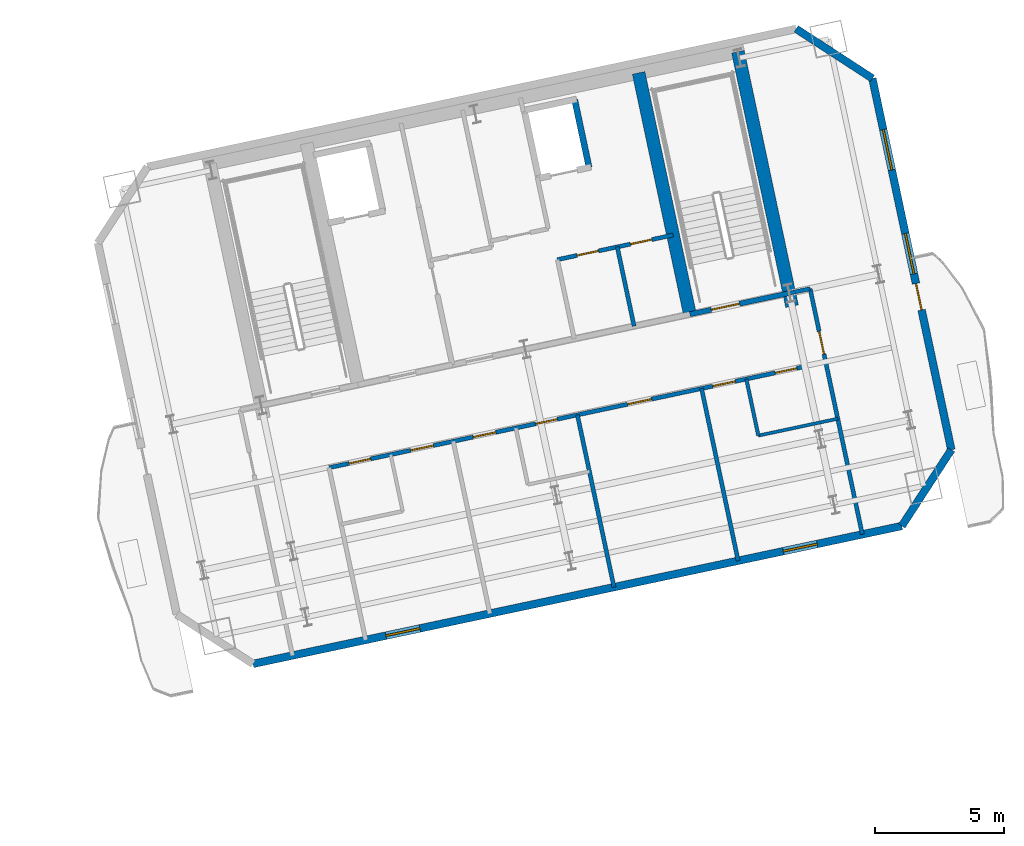
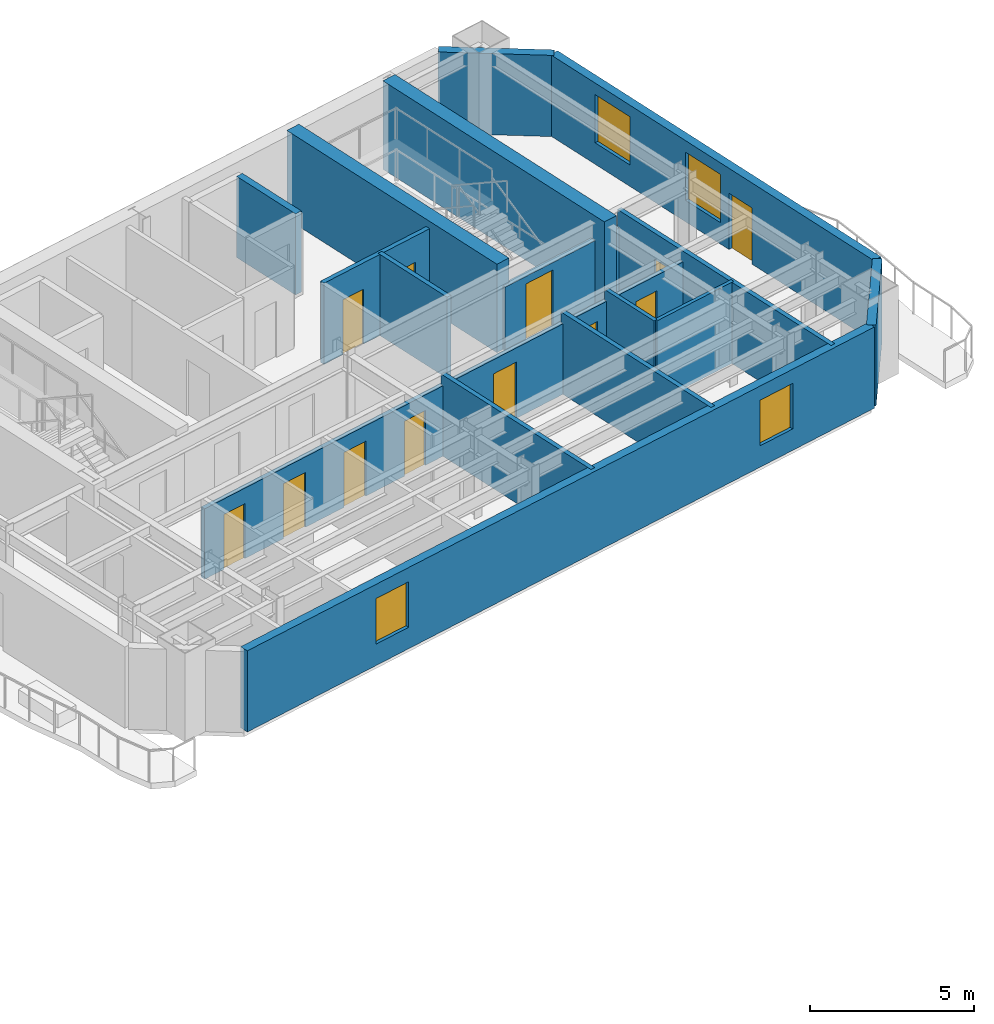
# One storey, part 8 of 13: 17 walls, 12 doors, 4 windows, 16 openings.
"""IFC4 building model written with IfcOpenShell, lengths in metres."""

from ifc_helpers import new_model, si_unit, direction, frame, frame_2d, origin, place, context, subcontext, project, spatial, rectangle, extrude, material, layer, layer_set, type_object, element, fill, save


model = new_model("IFC4")

# Units and contexts
model_context = context("Model", 3, precision=1e-05, world=origin(), true_north=direction((0.0, 1.0)))
body_context = subcontext(model_context, "Body", "Model", "MODEL_VIEW")
ifc_project = project(units=[si_unit("LENGTHUNIT", "METRE"), si_unit("AREAUNIT", "SQUARE_METRE"), si_unit("VOLUMEUNIT", "CUBIC_METRE"), si_unit("PLANEANGLEUNIT", "RADIAN"), si_unit("MASSUNIT", "GRAM", prefix="KILO")], contexts=[model_context])

# Site, building, storey
site_placement = place(None, origin())
site = spatial("IfcSite", under=ifc_project, at=site_placement, CompositionType="ELEMENT")
building_placement = place(site_placement, origin())
building = spatial("IfcBuilding", under=site, at=building_placement, Name="Haevon Station Towers", CompositionType="ELEMENT")
storey_placement = place(building_placement, frame((0.0, 0.0, 182.39990234375)))
storey = spatial("IfcBuildingStorey", under=building, at=storey_placement, Name="L50", CompositionType="ELEMENT", Elevation=182.39990234375)

# Wall, opening, door
ifc_material_1 = material(Name="Gypsum board on steel stud", Category="steel")
ifc_layer_1 = layer(ifc_material_1, 0.199951171875)
ifc_layer_set_1 = layer_set([ifc_layer_1], Name="Gypsum board on steel stud")
wall_type_1 = type_object("IfcWallType", Name="WL-COR200", PredefinedType="PARTITIONING", material=ifc_layer_set_1)
wall_1_placement = place(storey_placement, frame((115.4296875, 40.9873046875, 0.0), z_axis=(0.0, 0.0, 1.0), x_axis=(0.978146596989, 0.207916413008, 0.0)))
wall_1 = element("IfcWall", 1, at=wall_1_placement, inside=storey, type_object=wall_type_1, Name="WL-ST-ST4-L50", PredefinedType="PARTITIONING", context=body_context, shape_type="SweptSolid", body=[
    extrude(rectangle(XDim=3.9501953125, YDim=0.199951171875, at=frame_2d((1.97509765625, 0.0))), origin(), (0.0, 0.0, 1.0), 2.380126953125),
])
opening_1_placement = place(wall_1_placement, frame((0.85009765625, 0.0, 0.0)))
opening_1 = element("IfcOpeningElement", 2, at=opening_1_placement, cuts=wall_1, Name="Opening DR-ST-ST4-L50", PredefinedType="OPENING", context=body_context, shape_type="SweptSolid", body=[
    extrude(rectangle(XDim=1.1201171875, YDim=2.10009765625, at=frame_2d((0.56005859375, 1.050048828125))), frame((0.0, 0.10986328125, 0.0), z_axis=(0.0, -1.0, 0.0), x_axis=(1.0, 0.0, 0.0)), (0.0, 0.0, 1.0), 0.219970703125),
])
ifc_material_2 = material(Name="Engineered oak timber", Category="wood")
door_type_1 = type_object("IfcDoorType", Name="DR-ST-1120", OperationType="NOTDEFINED", PredefinedType="DOOR", material=ifc_material_2)
door_1_placement = place(opening_1_placement, origin())
door_1 = element("IfcDoor", 3, at=door_1_placement, inside=storey, type_object=door_type_1, Name="L50 Escape Stair ST4 Fire Door", OperationType="SINGLE_SWING_LEFT", OverallHeight=2.10009765625, OverallWidth=1.1201171875, PredefinedType="DOOR", context=body_context, shape_type="SweptSolid", body=[
    extrude(rectangle(XDim=1.1201171875, YDim=2.10009765625, at=frame_2d((0.56005859375, 1.050048828125))), frame((0.0, 0.02490234375, 0.0), z_axis=(0.0, -1.0, 0.0), x_axis=(1.0, 0.0, 0.0)), (0.0, 0.0, 1.0), 0.050048828125),
])
fill(opening_1, door_1)

# Walls
ifc_material_3 = material(Name="Concrete C60/75", Category="concrete")
ifc_layer_2 = layer(ifc_material_3, 0.5)
ifc_layer_set_2 = layer_set([ifc_layer_2], Name="Concrete C60/75")
wall_type_2 = type_object("IfcWallType", Name="WL-CR500", PredefinedType="SHEAR", material=ifc_layer_set_2)
wall_2_placement = place(storey_placement, frame((119.401611328125, 41.2998046875, 0.0), z_axis=(0.0, 0.0, 1.0), x_axis=(-0.207904342798, 0.978149162575, 0.0)))
element("IfcWall", 4, at=wall_2_placement, inside=storey, type_object=wall_type_2, Name="WL-T2CR-L50-E", PredefinedType="SHEAR", context=body_context, shape_type="SweptSolid", body=[
    extrude(rectangle(XDim=10.1201171875, YDim=0.5, at=frame_2d((5.06005859375, 0.0))), origin(), (0.0, 0.0, 1.0), 3.300048828125),
])
wall_3_placement = place(storey_placement, frame((115.4296875, 40.9873046875, 0.0), z_axis=(0.0, 0.0, 1.0), x_axis=(-0.207903162969, 0.978149413345, 0.0)))
element("IfcWall", 5, at=wall_3_placement, inside=storey, type_object=wall_type_2, Name="WL-T2CR-L50-M2", PredefinedType="SHEAR", context=body_context, shape_type="SweptSolid", body=[
    extrude(rectangle(XDim=9.599853515625, YDim=0.5, at=frame_2d((4.7998046875, 0.0))), origin(), (0.0, 0.0, 1.0), 3.300048828125),
])

# Wall, openings, windows
ifc_material_4 = material(Name="Precast concrete C45/55", Category="concrete")
ifc_layer_3 = layer(ifc_material_4, 0.300048828125)
ifc_layer_set_3 = layer_set([ifc_layer_3], Name="Precast concrete C45/55")
wall_type_3 = type_object("IfcWallType", Name="WL-EXT-PIER300", PredefinedType="SOLIDWALL", material=ifc_layer_set_3)
wall_4_placement = place(storey_placement, frame((123.67236328125, 32.7509765625, 0.0), z_axis=(0.0, 0.0, 1.0), x_axis=(-0.978148652743, -0.207906741442, 0.0)))
wall_4 = element("IfcWall", 6, at=wall_4_placement, inside=storey, type_object=wall_type_3, Name="WL-T2-L50-S", PredefinedType="SOLIDWALL", context=body_context, shape_type="SweptSolid", body=[
    extrude(rectangle(XDim=25.800048828125, YDim=0.300048828125, at=frame_2d((12.89990234375, 0.0))), origin(), (0.0, 0.0, 1.0), 3.030029296875),
])
opening_2_placement = place(wall_4_placement, frame((19.166015625, 0.0, 0.800048828125)))
opening_2 = element("IfcOpeningElement", 7, at=opening_2_placement, cuts=wall_4, Name="Opening WN-P135", PredefinedType="OPENING", context=body_context, shape_type="SweptSolid", body=[
    extrude(rectangle(XDim=1.35009765625, YDim=1.699951171875, at=frame_2d((0.675048828125, 0.85009765625))), frame((0.0, 0.159912109375, 0.0), z_axis=(0.0, -1.0, 0.0), x_axis=(1.0, 0.0, 0.0)), (0.0, 0.0, 1.0), 0.320068359375),
])
opening_3_placement = place(wall_4_placement, frame((3.36376953125, 0.0, 0.800048828125)))
opening_3 = element("IfcOpeningElement", 8, at=opening_3_placement, cuts=wall_4, Name="Opening WN-P135", PredefinedType="OPENING", context=body_context, shape_type="SweptSolid", body=[
    extrude(rectangle(XDim=1.35009765625, YDim=1.699951171875, at=frame_2d((0.675048828125, 0.85009765625))), frame((0.0, 0.159912109375, 0.0), z_axis=(0.0, -1.0, 0.0), x_axis=(1.0, 0.0, 0.0)), (0.0, 0.0, 1.0), 0.320068359375),
])
ifc_material_5 = material(Name="Low-E triple glazing in thermally broken aluminium", Category="aluminium")
window_type_1 = type_object("IfcWindowType", Name="WN-P135", PartitioningType="SINGLE_PANEL", PredefinedType="WINDOW", material=ifc_material_5)
window_1_placement = place(opening_2_placement, origin())
window_1 = element("IfcWindow", 9, at=window_1_placement, inside=storey, type_object=window_type_1, Name="WN-T2-L50-S01", OverallHeight=1.699951171875, OverallWidth=1.35009765625, PartitioningType="SINGLE_PANEL", PredefinedType="WINDOW", context=body_context, shape_type="SweptSolid", body=[
    extrude(rectangle(XDim=1.35009765625, YDim=1.699951171875, at=frame_2d((0.675048828125, 0.85009765625))), frame((0.0, 0.030029296875, 0.0), z_axis=(0.0, -1.0, 0.0), x_axis=(1.0, 0.0, 0.0)), (0.0, 0.0, 1.0), 0.06005859375),
])
fill(opening_2, window_1)
window_2_placement = place(opening_3_placement, origin())
window_2 = element("IfcWindow", 10, at=window_2_placement, inside=storey, type_object=window_type_1, Name="WN-T2-L50-S02", OverallHeight=1.699951171875, OverallWidth=1.35009765625, PartitioningType="SINGLE_PANEL", PredefinedType="WINDOW", context=body_context, shape_type="SweptSolid", body=[
    extrude(rectangle(XDim=1.35009765625, YDim=1.699951171875, at=frame_2d((0.675048828125, 0.85009765625))), frame((0.0, 0.030029296875, 0.0), z_axis=(0.0, -1.0, 0.0), x_axis=(1.0, 0.0, 0.0)), (0.0, 0.0, 1.0), 0.06005859375),
])
fill(opening_3, window_2)

# Wall
wall_5_placement = place(storey_placement, frame((119.561767578125, 52.089111328125, 0.0), z_axis=(0.0, 0.0, 1.0), x_axis=(0.838661251934, -0.544653380146, 0.0)))
element("IfcWall", 11, at=wall_5_placement, inside=storey, type_object=wall_type_3, Name="WL-T2-L50-NEC", PredefinedType="SOLIDWALL", context=body_context, shape_type="SweptSolid", body=[
    extrude(rectangle(XDim=3.535888671875, YDim=0.300048828125, at=frame_2d((1.76806640625, 0.0))), origin(), (0.0, 0.0, 1.0), 3.030029296875),
])

# Wall, openings, door, windows
wall_6_placement = place(storey_placement, frame((122.527099609375, 50.163330078125, 0.0), z_axis=(0.0, 0.0, 1.0), x_axis=(0.207911144611, -0.978147716834, 0.0)))
wall_6 = element("IfcWall", 12, at=wall_6_placement, inside=storey, type_object=wall_type_3, Name="WL-T2-L50-E", PredefinedType="SOLIDWALL", context=body_context, shape_type="SweptSolid", body=[
    extrude(rectangle(XDim=14.769775390625, YDim=0.300048828125, at=frame_2d((7.384765625, 0.0))), origin(), (0.0, 0.0, 1.0), 3.030029296875),
])
opening_4_placement = place(wall_6_placement, frame((8.159912109375, 0.0, 0.0)))
opening_4 = element("IfcOpeningElement", 13, at=opening_4_placement, cuts=wall_6, Name="Opening DR-T2-SCAL-L50-E", PredefinedType="OPENING", context=body_context, shape_type="SweptSolid", body=[
    extrude(rectangle(XDim=1.050048828125, YDim=2.10009765625, at=frame_2d((0.52490234375, 1.050048828125))), frame((0.0, 0.159912109375, 0.0), z_axis=(0.0, -1.0, 0.0), x_axis=(1.0, 0.0, 0.0)), (0.0, 0.0, 1.0), 0.320068359375),
])
opening_5_placement = place(wall_6_placement, frame((2.03955078125, 0.0, 0.800048828125)))
opening_5 = element("IfcOpeningElement", 14, at=opening_5_placement, cuts=wall_6, Name="Opening WN-END160", PredefinedType="OPENING", context=body_context, shape_type="SweptSolid", body=[
    extrude(rectangle(XDim=1.60009765625, YDim=1.800048828125, at=frame_2d((0.800048828125, 0.89990234375))), frame((0.0, 0.159912109375, 0.0), z_axis=(0.0, -1.0, 0.0), x_axis=(1.0, 0.0, 0.0)), (0.0, 0.0, 1.0), 0.320068359375),
])
opening_6_placement = place(wall_6_placement, frame((6.171875, 0.0, 0.800048828125)))
opening_6 = element("IfcOpeningElement", 15, at=opening_6_placement, cuts=wall_6, Name="Opening WN-END160", PredefinedType="OPENING", context=body_context, shape_type="SweptSolid", body=[
    extrude(rectangle(XDim=1.60009765625, YDim=1.800048828125, at=frame_2d((0.800048828125, 0.89990234375))), frame((0.0, 0.159912109375, 0.0), z_axis=(0.0, -1.0, 0.0), x_axis=(1.0, 0.0, 0.0)), (0.0, 0.0, 1.0), 0.320068359375),
])
ifc_material_6 = material(Name="Thermally broken anodised aluminium and laminated safety glass", Category="aluminium")
door_type_2 = type_object("IfcDoorType", Name="DR-BALC-1050", OperationType="NOTDEFINED", PredefinedType="DOOR", material=ifc_material_6)
door_2_placement = place(opening_4_placement, origin())
door_2 = element("IfcDoor", 16, at=door_2_placement, inside=storey, type_object=door_type_2, Name="Tower 2 L50 East Scalloped Balcony Door", OperationType="SINGLE_SWING_RIGHT", OverallHeight=2.10009765625, OverallWidth=1.050048828125, PredefinedType="DOOR", context=body_context, shape_type="SweptSolid", body=[
    extrude(rectangle(XDim=1.050048828125, YDim=2.10009765625, at=frame_2d((0.52490234375, 1.050048828125))), frame((0.0, 0.02490234375, 0.0), z_axis=(0.0, -1.0, 0.0), x_axis=(1.0, 0.0, 0.0)), (0.0, 0.0, 1.0), 0.050048828125),
])
fill(opening_4, door_2)
window_type_2 = type_object("IfcWindowType", Name="WN-END160", PartitioningType="SINGLE_PANEL", PredefinedType="WINDOW", material=ifc_material_5)
window_3_placement = place(opening_5_placement, origin())
window_3 = element("IfcWindow", 17, at=window_3_placement, inside=storey, type_object=window_type_2, Name="WN-T2-L50-E01", OverallHeight=1.800048828125, OverallWidth=1.60009765625, PartitioningType="SINGLE_PANEL", PredefinedType="WINDOW", context=body_context, shape_type="SweptSolid", body=[
    extrude(rectangle(XDim=1.60009765625, YDim=1.800048828125, at=frame_2d((0.800048828125, 0.89990234375))), frame((0.0, 0.030029296875, 0.0), z_axis=(0.0, -1.0, 0.0), x_axis=(1.0, 0.0, 0.0)), (0.0, 0.0, 1.0), 0.06005859375),
])
fill(opening_5, window_3)
window_4_placement = place(opening_6_placement, origin())
window_4 = element("IfcWindow", 18, at=window_4_placement, inside=storey, type_object=window_type_2, Name="WN-T2-L50-E02", OverallHeight=1.800048828125, OverallWidth=1.60009765625, PartitioningType="SINGLE_PANEL", PredefinedType="WINDOW", context=body_context, shape_type="SweptSolid", body=[
    extrude(rectangle(XDim=1.60009765625, YDim=1.800048828125, at=frame_2d((0.800048828125, 0.89990234375))), frame((0.0, 0.030029296875, 0.0), z_axis=(0.0, -1.0, 0.0), x_axis=(1.0, 0.0, 0.0)), (0.0, 0.0, 1.0), 0.06005859375),
])
fill(opening_6, window_4)

# Walls
wall_7_placement = place(storey_placement, frame((125.597900390625, 35.71630859375, 0.0), z_axis=(0.0, 0.0, 1.0), x_axis=(-0.544604812064, -0.838692791597, 0.0)))
element("IfcWall", 19, at=wall_7_placement, inside=storey, type_object=wall_type_3, Name="WL-T2-L50-SEC", PredefinedType="SOLIDWALL", context=body_context, shape_type="SweptSolid", body=[
    extrude(rectangle(XDim=3.53564453125, YDim=0.300048828125, at=frame_2d((1.767822265625, 0.0))), origin(), (0.0, 0.0, 1.0), 3.030029296875),
])
ifc_layer_4 = layer(ifc_material_1, 0.125)
ifc_layer_set_4 = layer_set([ifc_layer_4], Name="Gypsum board on steel stud")
wall_type_4 = type_object("IfcWallType", Name="WL-PRT125", PredefinedType="PARTITIONING", material=ifc_layer_set_4)
wall_8_placement = place(storey_placement, frame((118.091796875, 36.267578125, 0.0), z_axis=(0.0, 0.0, 1.0), x_axis=(0.978145092575, 0.207923490429, 0.0)))
element("IfcWall", 20, at=wall_8_placement, inside=storey, type_object=wall_type_4, Name="WL-T2PT-L50-13", PredefinedType="PARTITIONING", context=body_context, shape_type="SweptSolid", body=[
    extrude(rectangle(XDim=3.157470703125, YDim=0.125, at=frame_2d((1.57861328125, 0.0))), origin(), (0.0, 0.0, 1.0), 3.030029296875),
])
ifc_layer_5 = layer(ifc_material_1, 0.139892578125)
ifc_layer_set_5 = layer_set([ifc_layer_5], Name="Gypsum board on steel stud")
wall_type_5 = type_object("IfcWallType", Name="WL-PRT140", PredefinedType="PARTITIONING", material=ifc_layer_set_5)
wall_9_placement = place(storey_placement, frame((118.091796875, 36.267578125, 0.0), z_axis=(0.0, 0.0, 1.0), x_axis=(-0.207891197838, 0.978151956427, 0.0)))
element("IfcWall", 21, at=wall_9_placement, inside=storey, type_object=wall_type_5, Name="WL-T2PT-L50-14", PredefinedType="PARTITIONING", context=body_context, shape_type="SweptSolid", body=[
    extrude(rectangle(XDim=2.25, YDim=0.139892578125, at=frame_2d((1.125, 0.0))), origin(), (0.0, 0.0, 1.0), 3.030029296875),
])
ifc_layer_6 = layer(ifc_material_1, 0.159912109375)
ifc_layer_set_6 = layer_set([ifc_layer_6], Name="Gypsum board on steel stud")
wall_type_6 = type_object("IfcWallType", Name="WL-PRT160", PredefinedType="PARTITIONING", material=ifc_layer_set_6)
wall_10_placement = place(storey_placement, frame((113.25830078125, 40.525634765625, 0.0), z_axis=(0.0, 0.0, 1.0), x_axis=(-0.207935688634, 0.978142499533, 0.0)))
element("IfcWall", 22, at=wall_10_placement, inside=storey, type_object=wall_type_6, Name="WL-T2CW-L50-08", PredefinedType="PARTITIONING", context=body_context, shape_type="SweptSolid", body=[
    extrude(rectangle(XDim=3.150146484375, YDim=0.159912109375, at=frame_2d((1.5751953125, 0.0))), origin(), (0.0, 0.0, 1.0), 3.030029296875),
])

# Wall, openings, doors
wall_11_placement = place(storey_placement, frame((110.275390625, 43.112060546875, 0.0), z_axis=(0.0, 0.0, 1.0), x_axis=(0.978152106073, 0.207890493732, 0.0)))
wall_11 = element("IfcWall", 23, at=wall_11_placement, inside=storey, type_object=wall_type_6, Name="WL-T2CW-L50-09", PredefinedType="PARTITIONING", context=body_context, shape_type="SweptSolid", body=[
    extrude(rectangle(XDim=4.60009765625, YDim=0.159912109375, at=frame_2d((2.300048828125, 0.0))), origin(), (0.0, 0.0, 1.0), 3.030029296875),
])
opening_7_placement = place(wall_11_placement, frame((0.784912109375, 0.0, 0.0)))
opening_7 = element("IfcOpeningElement", 24, at=opening_7_placement, cuts=wall_11, Name="Opening DR-WL-T2CW-L50-09-1", PredefinedType="OPENING", context=body_context, shape_type="SweptSolid", body=[
    extrude(rectangle(XDim=0.85009765625, YDim=2.050048828125, at=frame_2d((0.425048828125, 1.02490234375))), frame((0.0, 0.08984375, 0.0), z_axis=(0.0, -1.0, 0.0), x_axis=(1.0, 0.0, 0.0)), (0.0, 0.0, 1.0), 0.179931640625),
])
opening_8_placement = place(wall_11_placement, frame((2.905029296875, 0.0, 0.0)))
opening_8 = element("IfcOpeningElement", 25, at=opening_8_placement, cuts=wall_11, Name="Opening DR-WL-T2CW-L50-09-2", PredefinedType="OPENING", context=body_context, shape_type="SweptSolid", body=[
    extrude(rectangle(XDim=0.85009765625, YDim=2.050048828125, at=frame_2d((0.425048828125, 1.02490234375))), frame((0.0, 0.08984375, 0.0), z_axis=(0.0, -1.0, 0.0), x_axis=(1.0, 0.0, 0.0)), (0.0, 0.0, 1.0), 0.179931640625),
])
door_type_3 = type_object("IfcDoorType", Name="DR-FD30-850", OperationType="NOTDEFINED", PredefinedType="DOOR", material=ifc_material_2)
door_3_placement = place(opening_7_placement, origin())
door_3 = element("IfcDoor", 26, at=door_3_placement, inside=storey, type_object=door_type_3, Name="L50 Tower 2 Core Room Door 9-1", OperationType="SINGLE_SWING_LEFT", OverallHeight=2.050048828125, OverallWidth=0.85009765625, PredefinedType="DOOR", context=body_context, shape_type="SweptSolid", body=[
    extrude(rectangle(XDim=0.85009765625, YDim=2.050048828125, at=frame_2d((0.425048828125, 1.02490234375))), frame((0.0, 0.02490234375, 0.0), z_axis=(0.0, -1.0, 0.0), x_axis=(1.0, 0.0, 0.0)), (0.0, 0.0, 1.0), 0.050048828125),
])
fill(opening_7, door_3)
door_4_placement = place(opening_8_placement, origin())
door_4 = element("IfcDoor", 27, at=door_4_placement, inside=storey, type_object=door_type_3, Name="L50 Tower 2 Core Room Door 9-2", OperationType="SINGLE_SWING_RIGHT", OverallHeight=2.050048828125, OverallWidth=0.85009765625, PredefinedType="DOOR", context=body_context, shape_type="SweptSolid", body=[
    extrude(rectangle(XDim=0.85009765625, YDim=2.050048828125, at=frame_2d((0.425048828125, 1.02490234375))), frame((0.0, 0.02490234375, 0.0), z_axis=(0.0, -1.0, 0.0), x_axis=(1.0, 0.0, 0.0)), (0.0, 0.0, 1.0), 0.050048828125),
])
fill(opening_8, door_4)

# Wall
wall_12_placement = place(storey_placement, frame((119.29345703125, 41.80859375, 0.0), z_axis=(0.0, 0.0, 1.0), x_axis=(0.978132675688, 0.207981895251, 0.0)))
element("IfcWall", 28, at=wall_12_placement, inside=storey, type_object=wall_type_6, Name="WL-T2PT-L50-03", PredefinedType="PARTITIONING", context=body_context, shape_type="SweptSolid", body=[
    extrude(rectangle(XDim=0.829833984375, YDim=0.159912109375, at=frame_2d((0.4150390625, 0.0))), origin(), (0.0, 0.0, 1.0), 2.380126953125),
])

# Wall, opening, door
wall_13_placement = place(storey_placement, frame((122.13671875, 32.424560546875, 0.0), z_axis=(0.0, 0.0, 1.0), x_axis=(-0.207928090601, 0.978144114709, 0.0)))
wall_13 = element("IfcWall", 29, at=wall_13_placement, inside=storey, type_object=wall_type_6, Name="WL-T2PT-L50-05", PredefinedType="PARTITIONING", context=body_context, shape_type="SweptSolid", body=[
    extrude(rectangle(XDim=9.770263671875, YDim=0.159912109375, at=frame_2d((4.88525390625, 0.0))), origin(), (0.0, 0.0, 1.0), 3.030029296875),
])
opening_9_placement = place(wall_13_placement, frame((7.169921875, 0.0, 0.0)))
opening_9 = element("IfcOpeningElement", 30, at=opening_9_placement, cuts=wall_13, Name="Opening DR-WL-T2PT-L50-05-01", PredefinedType="OPENING", context=body_context, shape_type="SweptSolid", body=[
    extrude(rectangle(XDim=0.89990234375, YDim=2.050048828125, at=frame_2d((0.449951171875, 1.02490234375))), frame((0.0, 0.08984375, 0.0), z_axis=(0.0, -1.0, 0.0), x_axis=(1.0, 0.0, 0.0)), (0.0, 0.0, 1.0), 0.179931640625),
])
door_type_4 = type_object("IfcDoorType", Name="DR-INT-900", OperationType="NOTDEFINED", PredefinedType="DOOR", material=ifc_material_2)
door_5_placement = place(opening_9_placement, origin())
door_5 = element("IfcDoor", 31, at=door_5_placement, inside=storey, type_object=door_type_4, Name="L50 Tower 2 Room Door 5-1", OperationType="SINGLE_SWING_RIGHT", OverallHeight=2.050048828125, OverallWidth=0.89990234375, PredefinedType="DOOR", context=body_context, shape_type="SweptSolid", body=[
    extrude(rectangle(XDim=0.89990234375, YDim=2.050048828125, at=frame_2d((0.449951171875, 1.02490234375))), frame((0.0, 0.02490234375, 0.0), z_axis=(0.0, -1.0, 0.0), x_axis=(1.0, 0.0, 0.0)), (0.0, 0.0, 1.0), 0.050048828125),
])
fill(opening_9, door_5)

# Walls
wall_14_placement = place(storey_placement, frame((112.477294921875, 30.37158203125, 0.0), z_axis=(0.0, 0.0, 1.0), x_axis=(-0.207897972701, 0.978150516509, 0.0)))
element("IfcWall", 32, at=wall_14_placement, inside=storey, type_object=wall_type_6, Name="WL-T2PT-L50-11", PredefinedType="PARTITIONING", context=body_context, shape_type="SweptSolid", body=[
    extrude(rectangle(XDim=6.849853515625, YDim=0.159912109375, at=frame_2d((3.4248046875, 0.0))), origin(), (0.0, 0.0, 1.0), 3.030029296875),
])
wall_15_placement = place(storey_placement, frame((117.306884765625, 31.39794921875, 0.0), z_axis=(0.0, 0.0, 1.0), x_axis=(-0.207890725014, 0.978152056918, 0.0)))
element("IfcWall", 33, at=wall_15_placement, inside=storey, type_object=wall_type_6, Name="WL-T2PT-L50-12", PredefinedType="PARTITIONING", context=body_context, shape_type="SweptSolid", body=[
    extrude(rectangle(XDim=6.85009765625, YDim=0.159912109375, at=frame_2d((3.425048828125, 0.0))), origin(), (0.0, 0.0, 1.0), 3.030029296875),
])

# Wall, openings, doors
wall_16_placement = place(storey_placement, frame((101.39404296875, 35.0185546875, 0.0), z_axis=(0.0, 0.0, 1.0), x_axis=(0.978145528215, 0.207921441014, 0.0)))
wall_16 = element("IfcWall", 34, at=wall_16_placement, inside=storey, type_object=wall_type_6, Name="WL-T2PT-L50-15", PredefinedType="PARTITIONING", context=body_context, shape_type="SweptSolid", body=[
    extrude(rectangle(XDim=19.75, YDim=0.159912109375, at=frame_2d((9.875, 0.0))), origin(), (0.0, 0.0, 1.0), 2.630126953125),
])
opening_10_placement = place(wall_16_placement, frame((0.800048828125, 0.0, 0.0)))
opening_10 = element("IfcOpeningElement", 35, at=opening_10_placement, cuts=wall_16, Name="Opening DR-WL-T2PT-L50-15-01", PredefinedType="OPENING", context=body_context, shape_type="SweptSolid", body=[
    extrude(rectangle(XDim=0.85009765625, YDim=2.050048828125, at=frame_2d((0.425048828125, 1.02490234375))), frame((0.0, 0.08984375, 0.0), z_axis=(0.0, -1.0, 0.0), x_axis=(1.0, 0.0, 0.0)), (0.0, 0.0, 1.0), 0.179931640625),
])
opening_11_placement = place(wall_16_placement, frame((3.243896484375, 0.0, 0.0)))
opening_11 = element("IfcOpeningElement", 36, at=opening_11_placement, cuts=wall_16, Name="Opening DR-WL-T2PT-L50-15-02", PredefinedType="OPENING", context=body_context, shape_type="SweptSolid", body=[
    extrude(rectangle(XDim=0.89990234375, YDim=2.050048828125, at=frame_2d((0.449951171875, 1.02490234375))), frame((0.0, 0.08984375, 0.0), z_axis=(0.0, -1.0, 0.0), x_axis=(1.0, 0.0, 0.0)), (0.0, 0.0, 1.0), 0.179931640625),
])
opening_12_placement = place(wall_16_placement, frame((8.22509765625, 0.0, 0.0)))
opening_12 = element("IfcOpeningElement", 37, at=opening_12_placement, cuts=wall_16, Name="Opening DR-WL-T2PT-L50-15-03", PredefinedType="OPENING", context=body_context, shape_type="SweptSolid", body=[
    extrude(rectangle(XDim=0.85009765625, YDim=2.050048828125, at=frame_2d((0.425048828125, 1.02490234375))), frame((0.0, 0.08984375, 0.0), z_axis=(0.0, -1.0, 0.0), x_axis=(1.0, 0.0, 0.0)), (0.0, 0.0, 1.0), 0.179931640625),
])
opening_13_placement = place(wall_16_placement, frame((5.73095703125, 0.0, 0.0)))
opening_13 = element("IfcOpeningElement", 38, at=opening_13_placement, cuts=wall_16, Name="Opening DR-WL-T2PT-L50-15-04", PredefinedType="OPENING", context=body_context, shape_type="SweptSolid", body=[
    extrude(rectangle(XDim=0.89990234375, YDim=2.050048828125, at=frame_2d((0.449951171875, 1.02490234375))), frame((0.0, 0.08984375, 0.0), z_axis=(0.0, -1.0, 0.0), x_axis=(1.0, 0.0, 0.0)), (0.0, 0.0, 1.0), 0.179931640625),
])
opening_14_placement = place(wall_16_placement, frame((11.868896484375, 0.0, 0.0)))
opening_14 = element("IfcOpeningElement", 39, at=opening_14_placement, cuts=wall_16, Name="Opening DR-WL-T2PT-L50-15-05", PredefinedType="OPENING", context=body_context, shape_type="SweptSolid", body=[
    extrude(rectangle(XDim=0.949951171875, YDim=2.10009765625, at=frame_2d((0.47509765625, 1.050048828125))), frame((0.0, 0.08984375, 0.0), z_axis=(0.0, -1.0, 0.0), x_axis=(1.0, 0.0, 0.0)), (0.0, 0.0, 1.0), 0.179931640625),
])
opening_15_placement = place(wall_16_placement, frame((17.74609375, 0.0, 0.0)))
opening_15 = element("IfcOpeningElement", 40, at=opening_15_placement, cuts=wall_16, Name="Opening DR-WL-T2PT-L50-15-06", PredefinedType="OPENING", context=body_context, shape_type="SweptSolid", body=[
    extrude(rectangle(XDim=0.85009765625, YDim=2.050048828125, at=frame_2d((0.425048828125, 1.02490234375))), frame((0.0, 0.08984375, 0.0), z_axis=(0.0, -1.0, 0.0), x_axis=(1.0, 0.0, 0.0)), (0.0, 0.0, 1.0), 0.179931640625),
])
opening_16_placement = place(wall_16_placement, frame((15.2529296875, 0.0, 0.0)))
opening_16 = element("IfcOpeningElement", 41, at=opening_16_placement, cuts=wall_16, Name="Opening DR-WL-T2PT-L50-15-07", PredefinedType="OPENING", context=body_context, shape_type="SweptSolid", body=[
    extrude(rectangle(XDim=0.89990234375, YDim=2.050048828125, at=frame_2d((0.449951171875, 1.02490234375))), frame((0.0, 0.08984375, 0.0), z_axis=(0.0, -1.0, 0.0), x_axis=(1.0, 0.0, 0.0)), (0.0, 0.0, 1.0), 0.179931640625),
])
door_6_placement = place(opening_10_placement, origin())
door_6 = element("IfcDoor", 42, at=door_6_placement, inside=storey, type_object=door_type_3, Name="L50 Tower 2 Room Door 15-1", OperationType="SINGLE_SWING_LEFT", OverallHeight=2.050048828125, OverallWidth=0.85009765625, PredefinedType="DOOR", context=body_context, shape_type="SweptSolid", body=[
    extrude(rectangle(XDim=0.85009765625, YDim=2.050048828125, at=frame_2d((0.425048828125, 1.02490234375))), frame((0.0, 0.02490234375, 0.0), z_axis=(0.0, -1.0, 0.0), x_axis=(1.0, 0.0, 0.0)), (0.0, 0.0, 1.0), 0.050048828125),
])
fill(opening_10, door_6)
door_7_placement = place(opening_12_placement, origin())
door_7 = element("IfcDoor", 43, at=door_7_placement, inside=storey, type_object=door_type_3, Name="L50 Tower 2 Room Door 15-3", OperationType="SINGLE_SWING_LEFT", OverallHeight=2.050048828125, OverallWidth=0.85009765625, PredefinedType="DOOR", context=body_context, shape_type="SweptSolid", body=[
    extrude(rectangle(XDim=0.85009765625, YDim=2.050048828125, at=frame_2d((0.425048828125, 1.02490234375))), frame((0.0, 0.02490234375, 0.0), z_axis=(0.0, -1.0, 0.0), x_axis=(1.0, 0.0, 0.0)), (0.0, 0.0, 1.0), 0.050048828125),
])
fill(opening_12, door_7)
door_8_placement = place(opening_15_placement, origin())
door_8 = element("IfcDoor", 44, at=door_8_placement, inside=storey, type_object=door_type_3, Name="L50 Tower 2 Room Door 15-6", OperationType="SINGLE_SWING_RIGHT", OverallHeight=2.050048828125, OverallWidth=0.85009765625, PredefinedType="DOOR", context=body_context, shape_type="SweptSolid", body=[
    extrude(rectangle(XDim=0.85009765625, YDim=2.050048828125, at=frame_2d((0.425048828125, 1.02490234375))), frame((0.0, 0.02490234375, 0.0), z_axis=(0.0, -1.0, 0.0), x_axis=(1.0, 0.0, 0.0)), (0.0, 0.0, 1.0), 0.050048828125),
])
fill(opening_15, door_8)
door_type_5 = type_object("IfcDoorType", Name="DR-FD30-950", OperationType="NOTDEFINED", PredefinedType="DOOR", material=ifc_material_2)
door_9_placement = place(opening_14_placement, origin())
door_9 = element("IfcDoor", 45, at=door_9_placement, inside=storey, type_object=door_type_5, Name="L50 Tower 2 Room Door 15-5", OperationType="SINGLE_SWING_LEFT", OverallHeight=2.10009765625, OverallWidth=0.949951171875, PredefinedType="DOOR", context=body_context, shape_type="SweptSolid", body=[
    extrude(rectangle(XDim=0.949951171875, YDim=2.10009765625, at=frame_2d((0.47509765625, 1.050048828125))), frame((0.0, 0.02490234375, 0.0), z_axis=(0.0, -1.0, 0.0), x_axis=(1.0, 0.0, 0.0)), (0.0, 0.0, 1.0), 0.050048828125),
])
fill(opening_14, door_9)
door_10_placement = place(opening_11_placement, origin())
door_10 = element("IfcDoor", 46, at=door_10_placement, inside=storey, type_object=door_type_4, Name="L50 Tower 2 Room Door 15-2", OperationType="SINGLE_SWING_RIGHT", OverallHeight=2.050048828125, OverallWidth=0.89990234375, PredefinedType="DOOR", context=body_context, shape_type="SweptSolid", body=[
    extrude(rectangle(XDim=0.89990234375, YDim=2.050048828125, at=frame_2d((0.449951171875, 1.02490234375))), frame((0.0, 0.02490234375, 0.0), z_axis=(0.0, -1.0, 0.0), x_axis=(1.0, 0.0, 0.0)), (0.0, 0.0, 1.0), 0.050048828125),
])
fill(opening_11, door_10)
door_11_placement = place(opening_13_placement, origin())
door_11 = element("IfcDoor", 47, at=door_11_placement, inside=storey, type_object=door_type_4, Name="L50 Tower 2 Room Door 15-4", OperationType="SINGLE_SWING_RIGHT", OverallHeight=2.050048828125, OverallWidth=0.89990234375, PredefinedType="DOOR", context=body_context, shape_type="SweptSolid", body=[
    extrude(rectangle(XDim=0.89990234375, YDim=2.050048828125, at=frame_2d((0.449951171875, 1.02490234375))), frame((0.0, 0.02490234375, 0.0), z_axis=(0.0, -1.0, 0.0), x_axis=(1.0, 0.0, 0.0)), (0.0, 0.0, 1.0), 0.050048828125),
])
fill(opening_13, door_11)
door_12_placement = place(opening_16_placement, origin())
door_12 = element("IfcDoor", 48, at=door_12_placement, inside=storey, type_object=door_type_4, Name="L50 Tower 2 Room Door 15-7", OperationType="SINGLE_SWING_LEFT", OverallHeight=2.050048828125, OverallWidth=0.89990234375, PredefinedType="DOOR", context=body_context, shape_type="SweptSolid", body=[
    extrude(rectangle(XDim=0.89990234375, YDim=2.050048828125, at=frame_2d((0.449951171875, 1.02490234375))), frame((0.0, 0.02490234375, 0.0), z_axis=(0.0, -1.0, 0.0), x_axis=(1.0, 0.0, 0.0)), (0.0, 0.0, 1.0), 0.050048828125),
])
fill(opening_16, door_12)

# Wall
ifc_material_7 = material(Name="Concrete C40/50", Category="concrete")
ifc_layer_7 = layer(ifc_material_7, 0.239990234375)
ifc_layer_set_7 = layer_set([ifc_layer_7], Name="Concrete C40/50")
wall_type_7 = type_object("IfcWallType", Name="WL-SHF240", PredefinedType="PARTITIONING", material=ifc_layer_set_7)
wall_17_placement = place(storey_placement, frame((111.507080078125, 46.696533203125, 0.0), z_axis=(0.0, 0.0, 1.0), x_axis=(-0.207892282326, 0.978151725935, 0.0)))
element("IfcWall", 49, at=wall_17_placement, inside=storey, type_object=wall_type_7, Name="WL-SHF-PL9-L50-E", PredefinedType="PARTITIONING", context=body_context, shape_type="SweptSolid", body=[
    extrude(rectangle(XDim=2.699951171875, YDim=0.239990234375, at=frame_2d((1.35009765625, 0.0))), origin(), (0.0, 0.0, 1.0), 3.030029296875),
])

save(model, "model.ifc")
